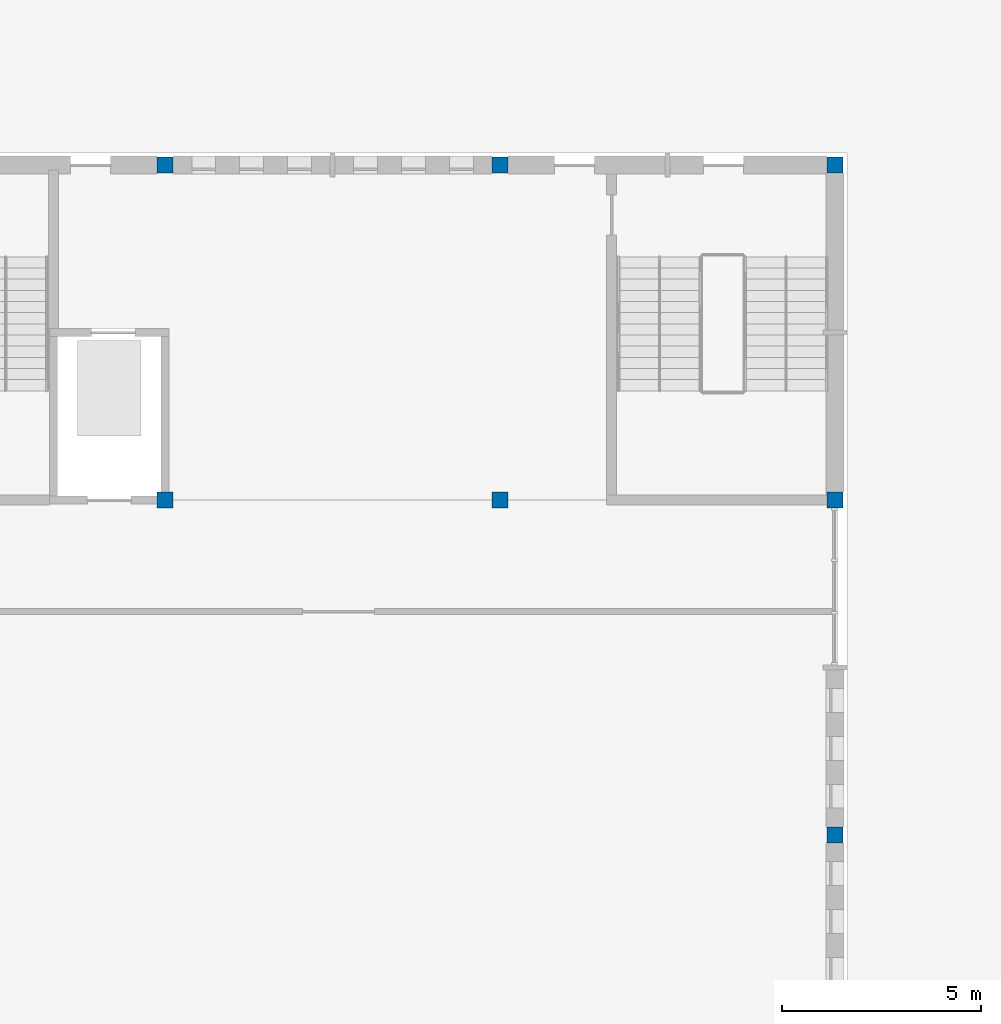
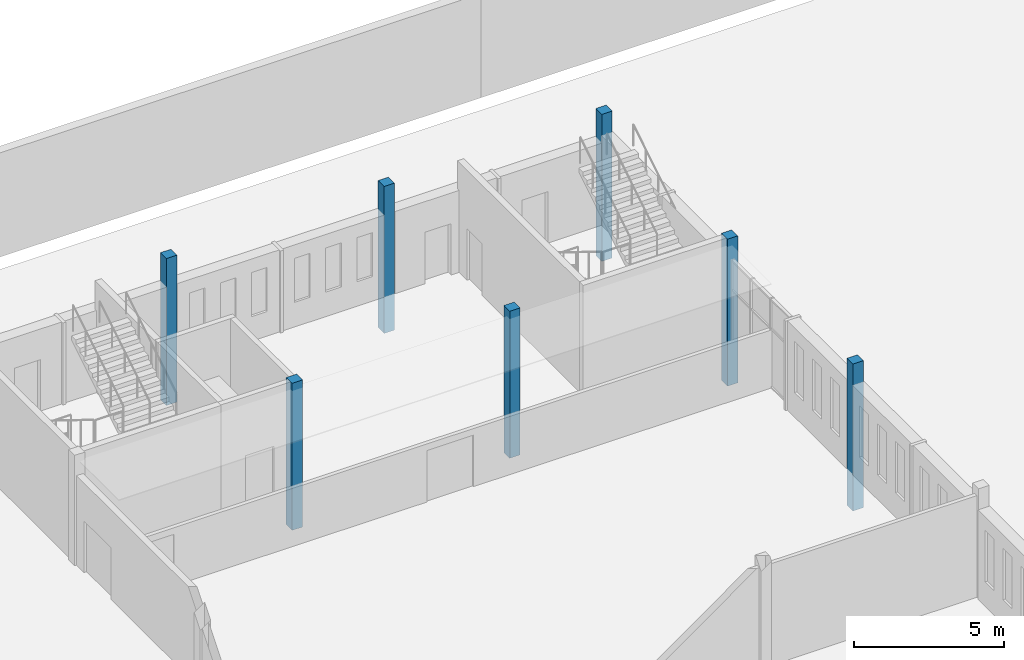
# One storey, part 7 of 60: 7 columns.
"""IFC4 building model written with IfcOpenShell, lengths in metres."""

from ifc_helpers import new_model, si_unit, direction, frame, origin, origin_2d, place, context, subcontext, project, spatial, rectangle, extrude, material, material_profile, profile_set, type_object, element, save


model = new_model("IFC4")

# Units and contexts
model_context = context("Model", 3, precision=1e-05, world=origin(), true_north=direction((0.0, 1.0)))
body_context = subcontext(model_context, "Body", "Model", "MODEL_VIEW")
ifc_project = project(units=[si_unit("LENGTHUNIT", "METRE"), si_unit("AREAUNIT", "SQUARE_METRE"), si_unit("VOLUMEUNIT", "CUBIC_METRE"), si_unit("PLANEANGLEUNIT", "RADIAN"), si_unit("MASSUNIT", "GRAM", prefix="KILO")], contexts=[model_context])

# Site, building, storey
site_placement = place(None, origin())
site = spatial("IfcSite", under=ifc_project, at=site_placement, CompositionType="ELEMENT")
building_placement = place(site_placement, origin())
building = spatial("IfcBuilding", under=site, at=building_placement, Name="Fescue Hill Polytechnic", CompositionType="ELEMENT")
storey_placement = place(building_placement, frame((0.0, 0.0, 4.5)))
storey = spatial("IfcBuildingStorey", under=building, at=storey_placement, Name="L01", CompositionType="ELEMENT", Elevation=4.5)

# Columns
ifc_material = material(Name="Concrete 40 MPa", Category="concrete")
ifc_material_profile = material_profile(ifc_material, rectangle(XDim=0.39990234375, YDim=0.39990234375, at=origin_2d()), Name="RC 400x400")
ifc_profile_set = profile_set([ifc_material_profile], Name="Concrete 40 MPa")
column_type = type_object("IfcColumnType", Name="Column RC 400x400", PredefinedType="COLUMN", material=ifc_profile_set)
for number, where, z_axis, x_axis, name in (
    (1, (126.0, 92.39990234375, -1.5), (0.0, 0.0, 1.0), (1.0, 0.0, 0.0), "COL-L01-V2-009"),
    (2, (126.0, 100.800048828125, -1.5), (0.0, 0.0, 1.0), (1.0, 0.0, 0.0), "COL-L01-V2-010"),
    (3, (134.39990234375, 92.39990234375, -1.5), (0.0, 0.0, 1.0), (1.0, 0.0, 0.0), "COL-L01-V2-013"),
    (4, (134.39990234375, 100.800048828125, -1.5), (0.0, 0.0, 1.0), (1.0, 0.0, 0.0), "COL-L01-V2-014"),
    (5, (142.800048828125, 84.0, -1.5), (0.0, 0.0, 1.0), (1.0, 0.0, 0.0), "COL-L01-V2-018"),
    (6, (142.800048828125, 92.39990234375, -1.5), (0.0, 0.0, 1.0), (1.0, 0.0, 0.0), "COL-L01-V2-019"),
    (7, (142.800048828125, 100.800048828125, -1.5), (0.0, 0.0, 1.0), (1.0, 0.0, 0.0), "COL-L01-V2-020"),
):
    element("IfcColumn", number, at=place(storey_placement, frame(where, z_axis=z_axis, x_axis=x_axis)), inside=storey, type_object=column_type, Name=name, PredefinedType="COLUMN", context=body_context, shape_type="SweptSolid", body=[
        extrude(rectangle(XDim=0.39990234375, YDim=0.39990234375, at=origin_2d()), origin(), (0.0, 0.0, 1.0), 6.0),
    ])

save(model, "model.ifc")
